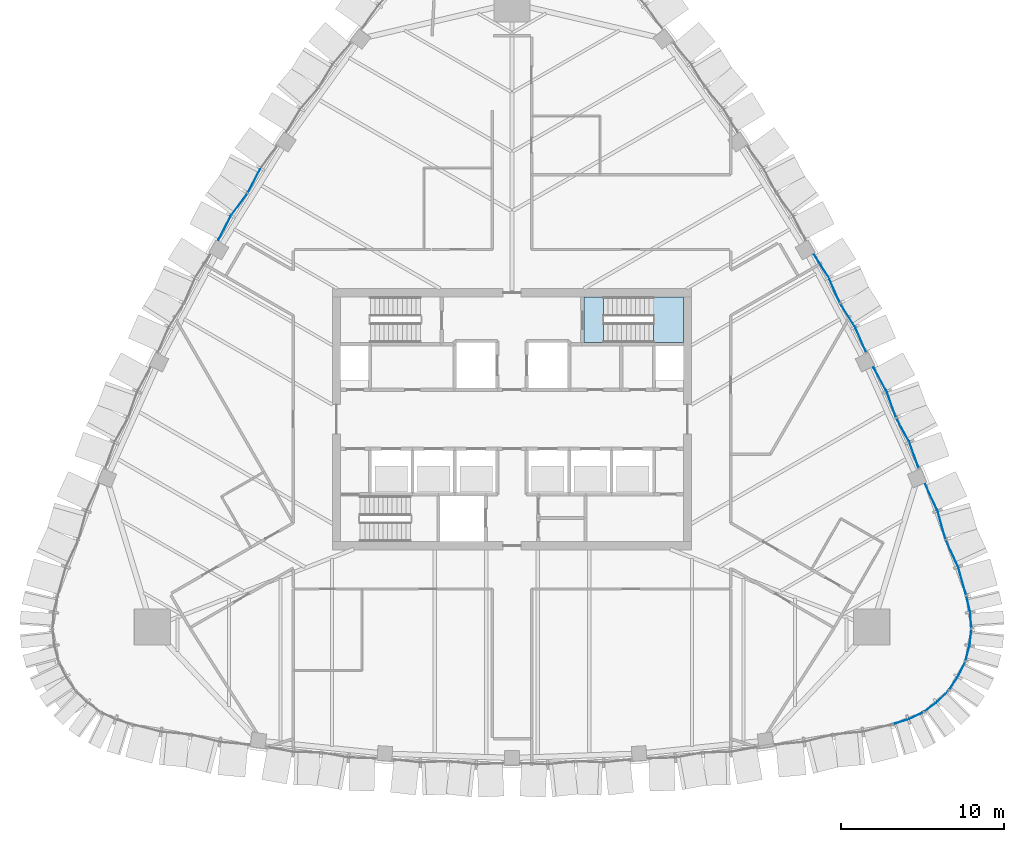
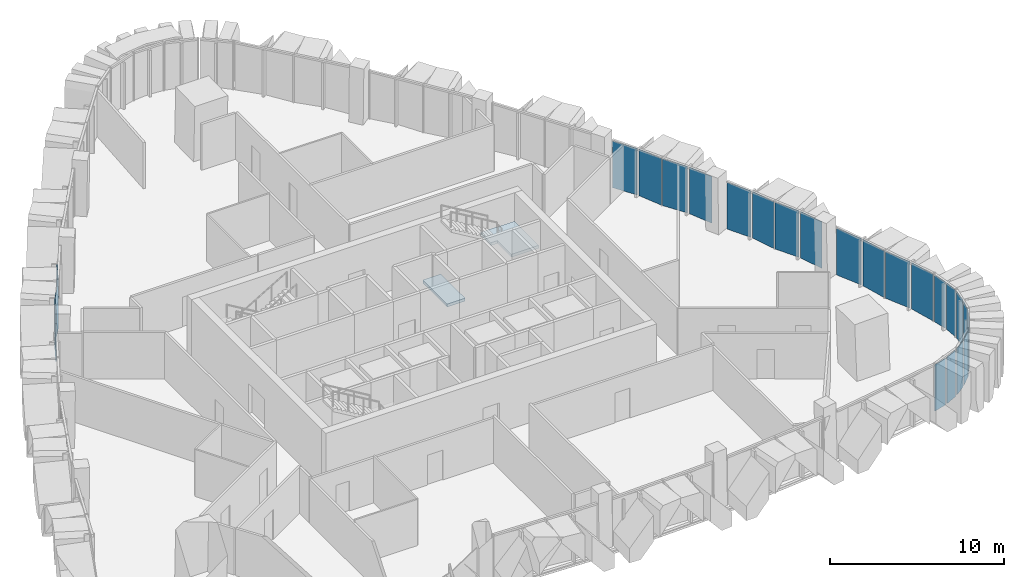
# One storey, part 10 of 20: 25 plates, 2 slabs, 10 elements without a shape of their own.
"""IFC4 building model written with IfcOpenShell, lengths in metres."""

from ifc_helpers import new_model, si_unit, direction, frame, origin, place, context, subcontext, project, spatial, polyline, outline, extrude, material, layer, layer_set, type_object, element, aggregate, save


model = new_model("IFC4")

# Units and contexts
model_context = context("Model", 3, precision=1e-05, world=origin(), true_north=direction((0.0, 1.0)))
body_context = subcontext(model_context, "Body", "Model", "MODEL_VIEW")
ifc_project = project(units=[si_unit("LENGTHUNIT", "METRE"), si_unit("AREAUNIT", "SQUARE_METRE"), si_unit("VOLUMEUNIT", "CUBIC_METRE"), si_unit("PLANEANGLEUNIT", "RADIAN"), si_unit("MASSUNIT", "GRAM", prefix="KILO")], contexts=[model_context])

# Site, building, storey
site_placement = place(None, origin())
site = spatial("IfcSite", under=ifc_project, at=site_placement, CompositionType="ELEMENT")
building_placement = place(site_placement, origin())
building = spatial("IfcBuilding", under=site, at=building_placement, Name="Sierra Prisma Convention Tower", CompositionType="ELEMENT")
storey_placement = place(building_placement, frame((0.0, 0.0, 239.0)))
storey = spatial("IfcBuildingStorey", under=building, at=storey_placement, Name="L53", CompositionType="ELEMENT", Elevation=239.0)

# Curtain wall, plates
ifc_material_1 = material(Name="Aluminium and glass curtain wall", Category="aluminium")
ifc_layer_1 = layer(ifc_material_1, 0.179931640625)
ifc_layer_set_1 = layer_set([ifc_layer_1], Name="CW-2 Faceted crystal curtain wall")
curtain_wall_type = type_object("IfcCurtainWallType", Name="CW-2 Faceted crystal curtain wall", PredefinedType="NOTDEFINED", material=ifc_layer_set_1)
curtain_wall_1_placement = place(storey_placement, origin())
curtain_wall_1 = element("IfcCurtainWall", 1, at=curtain_wall_1_placement, inside=storey, type_object=curtain_wall_type, Name="CW-2 SE1 L53", PredefinedType="NOTDEFINED")
ifc_material_2 = material(Name="Tinted glass bronze-grey IGU", Category="glass")
ifc_layer_2 = layer(ifc_material_2, 0.028076171875)
ifc_layer_set_2 = layer_set([ifc_layer_2], Name="CW-2 crystal pane")
plate_type = type_object("IfcPlateType", Name="CW-2 crystal pane", PredefinedType="CURTAIN_PANEL", material=ifc_layer_set_2)
plate_1_placement = place(storey_placement, frame((23.373046875, -18.681640625, 0.0), z_axis=(0.290342504729, -0.956922792051, 0.0), x_axis=(0.956922792051, 0.290342504729, 0.0)))
plate_1 = element("IfcPlate", 2, at=plate_1_placement, type_object=plate_type, Name="CW-2 pane SE1.1.1", PredefinedType="CURTAIN_PANEL", context=body_context, shape_type="SweptSolid", body=[
    extrude(outline(polyline([(0.0, 0.0), (0.8896416371794331, 0.0), (0.8896416371794331, 3.280029296875001), (0.0, 3.280029296875001), (0.0, 0.0)])), origin(), (0.0, 0.0, -1.0), 0.028076171875),
])
plate_2_placement = place(storey_placement, frame((25.1455078125, -17.98779296875, 0.0), z_axis=(0.436536034417, -0.899686773636, 0.0), x_axis=(-0.899686773636, -0.436536034417, 0.0)))
plate_2 = element("IfcPlate", 3, at=plate_2_placement, type_object=plate_type, Name="CW-2 pane SE1.1.2", PredefinedType="CURTAIN_PANEL", context=body_context, shape_type="SweptSolid", body=[
    extrude(outline(polyline([(0.0, 0.0), (0.8897953519310923, 0.0), (0.8897953519310923, -3.280029296875), (0.0, -3.280029296875), (0.0, 0.0)])), origin(), (0.0, 0.0, -1.0), 0.028076171875),
])
aggregate(curtain_wall_1, [plate_1, plate_2])

curtain_wall_2_placement = place(storey_placement, origin())
curtain_wall_2 = element("IfcCurtainWall", 4, at=curtain_wall_2_placement, inside=storey, type_object=curtain_wall_type, Name="CW-2 SE2 L53", PredefinedType="NOTDEFINED")
plate_3_placement = place(storey_placement, frame((25.263671875, -17.91650390625, 0.0), z_axis=(0.590518712357, -0.807023946581, 0.0), x_axis=(0.807023946581, 0.590518712357, 0.0)))
plate_3 = element("IfcPlate", 5, at=plate_3_placement, type_object=plate_type, Name="CW-2 pane SE2.1.1", PredefinedType="CURTAIN_PANEL", context=body_context, shape_type="SweptSolid", body=[
    extrude(outline(polyline([(0.0, 0.0), (0.8897103749728792, 0.0), (0.8897103749728792, 3.280029296875), (0.0, 3.280029296875), (0.0, 0.0)])), origin(), (0.0, 0.0, -1.0), 0.028076171875),
])
plate_4_placement = place(storey_placement, frame((26.70703125, -16.675537109375, 0.0), z_axis=(0.709435700534, -0.704770165946, 0.0), x_axis=(-0.704770165946, -0.709435700534, 0.0)))
plate_4 = element("IfcPlate", 6, at=plate_4_placement, type_object=plate_type, Name="CW-2 pane SE2.1.2", PredefinedType="CURTAIN_PANEL", context=body_context, shape_type="SweptSolid", body=[
    extrude(outline(polyline([(0.0, 0.0), (0.88958522266363, 0.0), (0.88958522266363, -3.280029296875), (0.0, -3.280029296875), (0.0, 0.0)])), origin(), (0.0, 0.0, -1.0), 0.028076171875),
])
aggregate(curtain_wall_2, [plate_3, plate_4])

curtain_wall_3_placement = place(storey_placement, origin())
curtain_wall_3 = element("IfcCurtainWall", 7, at=curtain_wall_3_placement, inside=storey, type_object=curtain_wall_type, Name="CW-2 SE3 L53", PredefinedType="NOTDEFINED")
plate_5_placement = place(storey_placement, frame((26.795166015625, -16.569091796875, 0.0), z_axis=(0.824113982765, -0.566423996146, 0.0), x_axis=(0.566423996146, 0.824113982765, 0.0)))
plate_5 = element("IfcPlate", 8, at=plate_5_placement, type_object=plate_type, Name="CW-2 pane SE3.1.1", PredefinedType="CURTAIN_PANEL", context=body_context, shape_type="SweptSolid", body=[
    extrude(outline(polyline([(0.0, 0.0), (0.8896272993874109, 0.0), (0.8896272993874109, 3.280029296875), (0.0, 3.280029296875), (0.0, 0.0)])), origin(), (0.0, 0.0, -1.0), 0.028076171875),
])
plate_6_placement = place(storey_placement, frame((27.746826171875, -14.920654296875, 0.0), z_axis=(0.902667653231, -0.430338364325, 0.0), x_axis=(-0.430338364325, -0.902667653231, 0.0)))
plate_6 = element("IfcPlate", 9, at=plate_6_placement, type_object=plate_type, Name="CW-2 pane SE3.1.2", PredefinedType="CURTAIN_PANEL", context=body_context, shape_type="SweptSolid", body=[
    extrude(outline(polyline([(0.0, 0.0), (0.8895616373875272, 0.0), (0.8895616373875272, -3.280029296875), (0.0, -3.280029296875), (0.0, 0.0)])), origin(), (0.0, 0.0, -1.0), 0.028076171875),
])
aggregate(curtain_wall_3, [plate_5, plate_6])

curtain_wall_4_placement = place(storey_placement, origin())
curtain_wall_4 = element("IfcCurtainWall", 10, at=curtain_wall_4_placement, inside=storey, type_object=curtain_wall_type, Name="CW-2 SE4 L53", PredefinedType="NOTDEFINED")
plate_7_placement = place(storey_placement, frame((27.794921875, -14.791259765625, 0.0), z_axis=(0.965054513103, -0.262049206714, 0.0), x_axis=(0.262049206714, 0.965054513103, 0.0)))
plate_7 = element("IfcPlate", 11, at=plate_7_placement, type_object=plate_type, Name="CW-2 pane SE4.1.1", PredefinedType="CURTAIN_PANEL", context=body_context, shape_type="SweptSolid", body=[
    extrude(outline(polyline([(0.0, 0.0), (0.889734793700023, 0.0), (0.889734793700023, 3.2800292968749996), (0.0, 3.2800292968749996), (0.0, 0.0)])), origin(), (0.0, 0.0, -1.0), 0.028076171875),
])
plate_8_placement = place(storey_placement, frame((28.14794921875, -12.9208984375, 0.0), z_axis=(0.994168149957, -0.107841038624, 0.0), x_axis=(-0.107841038624, -0.994168149957, 0.0)))
plate_8 = element("IfcPlate", 12, at=plate_8_placement, type_object=plate_type, Name="CW-2 pane SE4.1.2", PredefinedType="CURTAIN_PANEL", context=body_context, shape_type="SweptSolid", body=[
    extrude(outline(polyline([(0.0, 0.0), (0.889710140496256, 0.0), (0.889710140496256, -3.280029296875), (0.0, -3.280029296875), (0.0, 0.0)])), origin(), (0.0, 0.0, -1.0), 0.028076171875),
])
aggregate(curtain_wall_4, [plate_7, plate_8])

curtain_wall_5_placement = place(storey_placement, origin())
curtain_wall_5 = element("IfcCurtainWall", 13, at=curtain_wall_5_placement, inside=storey, type_object=curtain_wall_type, Name="CW-2 SE5 L53", PredefinedType="NOTDEFINED")
plate_9_placement = place(storey_placement, frame((28.150634765625, -12.78271484375, 0.0), z_axis=(0.997412528227, 0.071890531608, 0.0), x_axis=(-0.071890531608, 0.997412528227, 0.0)))
plate_9 = element("IfcPlate", 14, at=plate_9_placement, type_object=plate_type, Name="CW-2 pane SE5.1.1", PredefinedType="CURTAIN_PANEL", context=body_context, shape_type="SweptSolid", body=[
    extrude(outline(polyline([(0.0, 0.0), (0.8897533836396874, 0.0), (0.8897533836396874, 3.280029296875), (0.0, 3.280029296875), (0.0, 0.0)])), origin(), (0.0, 0.0, -1.0), 0.028076171875),
])
plate_10_placement = place(storey_placement, frame((27.865478515625, -10.900634765625, 0.0), z_axis=(0.973922092517, 0.226882695919, 0.0), x_axis=(0.226882695919, -0.973922092517, 0.0)))
plate_10 = element("IfcPlate", 15, at=plate_10_placement, type_object=plate_type, Name="CW-2 pane SE5.1.2", PredefinedType="CURTAIN_PANEL", context=body_context, shape_type="SweptSolid", body=[
    extrude(outline(polyline([(0.0, 0.0), (0.8899061079004057, 0.0), (0.8899061079004057, -3.280029296875), (0.0, -3.280029296875), (0.0, 0.0)])), origin(), (0.0, 0.0, -1.0), 0.028076171875),
])
aggregate(curtain_wall_5, [plate_9, plate_10])

curtain_wall_6_placement = place(storey_placement, origin())
curtain_wall_6 = element("IfcCurtainWall", 16, at=curtain_wall_6_placement, inside=storey, type_object=curtain_wall_type, Name="CW-2 NE1 L53", PredefinedType="NOTDEFINED")
plate_11_placement = place(storey_placement, frame((27.830810546875, -10.765869140625, 0.0), z_axis=(0.962560139026, 0.271068217906, 0.0), x_axis=(-0.271068217906, 0.962560139026, 0.0)))
plate_11 = element("IfcPlate", 17, at=plate_11_placement, type_object=plate_type, Name="CW-2 pane NE1.1.1", PredefinedType="CURTAIN_PANEL", context=body_context, shape_type="SweptSolid", body=[
    extrude(outline(polyline([(0.0, 0.0), (1.7310708163247204, 0.0), (1.7310708163247204, 3.280029296875001), (0.0, 3.280029296875001), (0.0, 0.0)])), origin(), (0.0, 0.0, -1.0), 0.028076171875),
])
plate_12_placement = place(storey_placement, frame((26.592529296875, -7.405517578125, 0.0), z_axis=(0.908322260911, 0.418271048884, 0.0), x_axis=(0.418271048884, -0.908322260911, 0.0)))
plate_12 = element("IfcPlate", 18, at=plate_12_placement, type_object=plate_type, Name="CW-2 pane NE1.1.2", PredefinedType="CURTAIN_PANEL", context=body_context, shape_type="SweptSolid", body=[
    extrude(outline(polyline([(0.0, 0.0), (1.7312245150181098, 0.0), (1.7312245150181098, -3.280029296875), (0.0, -3.280029296875), (0.0, 0.0)])), origin(), (0.0, 0.0, -1.0), 0.028076171875),
])
plate_13_placement = place(storey_placement, frame((26.568359375, -7.33984375, 0.0), z_axis=(0.962596930195, 0.270937538887, 0.0), x_axis=(-0.270937538887, 0.962596930195, 0.0)))
plate_13 = element("IfcPlate", 19, at=plate_13_placement, type_object=plate_type, Name="CW-2 pane NE1.2.1", PredefinedType="CURTAIN_PANEL", context=body_context, shape_type="SweptSolid", body=[
    extrude(outline(polyline([(0.0, 0.0), (1.731004653512307, 0.0), (1.731004653512307, 3.280029296875), (0.0, 3.280029296875), (0.0, 0.0)])), origin(), (0.0, 0.0, -1.0), 0.028076171875),
])
plate_14_placement = place(storey_placement, frame((25.330322265625, -3.9794921875, 0.0), z_axis=(0.908322260911, 0.418271048884, 0.0), x_axis=(0.418271048884, -0.908322260911, 0.0)))
plate_14 = element("IfcPlate", 20, at=plate_14_placement, type_object=plate_type, Name="CW-2 pane NE1.2.2", PredefinedType="CURTAIN_PANEL", context=body_context, shape_type="SweptSolid", body=[
    extrude(outline(polyline([(0.0, 0.0), (1.7312245150181098, 0.0), (1.7312245150181098, -3.280029296875), (0.0, -3.280029296875), (0.0, 0.0)])), origin(), (0.0, 0.0, -1.0), 0.028076171875),
])
aggregate(curtain_wall_6, [plate_11, plate_12, plate_13, plate_14])

curtain_wall_7_placement = place(storey_placement, origin())
curtain_wall_7 = element("IfcCurtainWall", 21, at=curtain_wall_7_placement, inside=storey, type_object=curtain_wall_type, Name="CW-2 NE2 L53", PredefinedType="NOTDEFINED")
plate_15_placement = place(storey_placement, frame((24.920166015625, -2.97705078125, 0.0), z_axis=(0.941820919268, 0.336115093427, 0.0), x_axis=(-0.336115093427, 0.941820919268, 0.0)))
plate_15 = element("IfcPlate", 22, at=plate_15_placement, type_object=plate_type, Name="CW-2 pane NE2.1.1", PredefinedType="CURTAIN_PANEL", context=body_context, shape_type="SweptSolid", body=[
    extrude(outline(polyline([(0.0, 0.0), (1.6074351128256732, 0.0), (1.6074351128256732, 3.280029296875), (0.0, 3.280029296875), (0.0, 0.0)])), origin(), (0.0, 0.0, -1.0), 0.028076171875),
])
plate_16_placement = place(storey_placement, frame((23.556640625, 0.065673828125, 0.0), z_axis=(0.877680695454, 0.479245862609, 0.0), x_axis=(0.479245862609, -0.877680695454, 0.0)))
plate_16 = element("IfcPlate", 23, at=plate_16_placement, type_object=plate_type, Name="CW-2 pane NE2.1.2", PredefinedType="CURTAIN_PANEL", context=body_context, shape_type="SweptSolid", body=[
    extrude(outline(polyline([(0.0, 0.0), (1.607241151089621, 0.0), (1.607241151089621, -3.280029296875), (0.0, -3.280029296875), (0.0, 0.0)])), origin(), (0.0, 0.0, -1.0), 0.028076171875),
])
plate_17_placement = place(storey_placement, frame((23.528076171875, 0.129638671875, 0.0), z_axis=(0.941868991918, 0.335980359639, 0.0), x_axis=(-0.335980359639, 0.941868991918, 0.0)))
plate_17 = element("IfcPlate", 24, at=plate_17_placement, type_object=plate_type, Name="CW-2 pane NE2.2.1", PredefinedType="CURTAIN_PANEL", context=body_context, shape_type="SweptSolid", body=[
    extrude(outline(polyline([(0.0, 0.0), (1.607353069923268, 0.0), (1.607353069923268, 3.280029296875), (0.0, 3.280029296875), (0.0, 0.0)])), origin(), (0.0, 0.0, -1.0), 0.028076171875),
])
plate_18_placement = place(storey_placement, frame((22.164794921875, 3.17236328125, 0.0), z_axis=(0.877680695454, 0.479245862609, 0.0), x_axis=(0.479245862609, -0.877680695454, 0.0)))
plate_18 = element("IfcPlate", 25, at=plate_18_placement, type_object=plate_type, Name="CW-2 pane NE2.2.2", PredefinedType="CURTAIN_PANEL", context=body_context, shape_type="SweptSolid", body=[
    extrude(outline(polyline([(0.0, 0.0), (1.607241151089621, 0.0), (1.607241151089621, -3.280029296875), (0.0, -3.280029296875), (0.0, 0.0)])), origin(), (0.0, 0.0, -1.0), 0.028076171875),
])
aggregate(curtain_wall_7, [plate_15, plate_16, plate_17, plate_18])

curtain_wall_8_placement = place(storey_placement, origin())
curtain_wall_8 = element("IfcCurtainWall", 26, at=curtain_wall_8_placement, inside=storey, type_object=curtain_wall_type, Name="CW-2 NE3 L53", PredefinedType="NOTDEFINED")
plate_19_placement = place(storey_placement, frame((21.701904296875, 4.11669921875, 0.0), z_axis=(0.916735710593, 0.399494226397, 0.0), x_axis=(-0.399494226397, 0.916735710593, 0.0)))
plate_19 = element("IfcPlate", 27, at=plate_19_placement, type_object=plate_type, Name="CW-2 pane NE3.1.1", PredefinedType="CURTAIN_PANEL", context=body_context, shape_type="SweptSolid", body=[
    extrude(outline(polyline([(0.0, 0.0), (1.6152014953883156, 0.0), (1.6152014953883156, 3.280029296875), (0.0, 3.280029296875), (0.0, 0.0)])), origin(), (0.0, 0.0, -1.0), 0.028076171875),
])
plate_20_placement = place(storey_placement, frame((20.126953125, 7.0732421875, 0.0), z_axis=(0.842976170925, 0.537950904128, 0.0), x_axis=(0.537950904128, -0.842976170925, 0.0)))
plate_20 = element("IfcPlate", 28, at=plate_20_placement, type_object=plate_type, Name="CW-2 pane NE3.1.2", PredefinedType="CURTAIN_PANEL", context=body_context, shape_type="SweptSolid", body=[
    extrude(outline(polyline([(0.0, 0.0), (1.6151966242778093, 0.0), (1.6151966242778093, -3.280029296875), (0.0, -3.280029296875), (0.0, 0.0)])), origin(), (0.0, 0.0, -1.0), 0.028076171875),
])
plate_21_placement = place(storey_placement, frame((20.093994140625, 7.135009765625, 0.0), z_axis=(0.916735710593, 0.399494226397, 0.0), x_axis=(-0.399494226397, 0.916735710593, 0.0)))
plate_21 = element("IfcPlate", 29, at=plate_21_placement, type_object=plate_type, Name="CW-2 pane NE3.2.1", PredefinedType="CURTAIN_PANEL", context=body_context, shape_type="SweptSolid", body=[
    extrude(outline(polyline([(0.0, 0.0), (1.6152014953883156, 0.0), (1.6152014953883156, 3.280029296875), (0.0, 3.280029296875), (0.0, 0.0)])), origin(), (0.0, 0.0, -1.0), 0.028076171875),
])
plate_22_placement = place(storey_placement, frame((18.518798828125, 10.091796875, 0.0), z_axis=(0.842976170925, 0.537950904128, 0.0), x_axis=(0.537950904128, -0.842976170925, 0.0)))
plate_22 = element("IfcPlate", 30, at=plate_22_placement, type_object=plate_type, Name="CW-2 pane NE3.2.2", PredefinedType="CURTAIN_PANEL", context=body_context, shape_type="SweptSolid", body=[
    extrude(outline(polyline([(0.0, 0.0), (1.6151966242778093, 0.0), (1.6151966242778093, -3.280029296875), (0.0, -3.280029296875), (0.0, 0.0)])), origin(), (0.0, 0.0, -1.0), 0.028076171875),
])
aggregate(curtain_wall_8, [plate_19, plate_20, plate_21, plate_22])

curtain_wall_9_placement = place(storey_placement, origin())
curtain_wall_9 = element("IfcCurtainWall", 31, at=curtain_wall_9_placement, inside=storey, type_object=curtain_wall_type, Name="CW-2 NW3 L53", PredefinedType="NOTDEFINED")
plate_23_placement = place(storey_placement, frame((-16.189208984375, 13.8935546875, 0.0), z_axis=(-0.887335550891, 0.46112430008, 0.0), x_axis=(0.46112430008, 0.887335550891, 0.0)))
plate_23 = element("IfcPlate", 32, at=plate_23_placement, type_object=plate_type, Name="CW-2 pane NW3.1.2", PredefinedType="CURTAIN_PANEL", context=body_context, shape_type="SweptSolid", body=[
    extrude(outline(polyline([(0.0, 0.0), (1.6153411276434184, 0.0), (1.6153411276434184, -3.280029296875), (0.0, -3.280029296875), (0.0, 0.0)])), origin(), (0.0, 0.0, -1.0), 0.028076171875),
])
plate_24_placement = place(storey_placement, frame((-16.22607421875, 13.834228515625, 0.0), z_axis=(-0.804314342892, 0.594204037194, 0.0), x_axis=(-0.594204037194, -0.804314342892, 0.0)))
plate_24 = element("IfcPlate", 33, at=plate_24_placement, type_object=plate_type, Name="CW-2 pane NW3.2.1", PredefinedType="CURTAIN_PANEL", context=body_context, shape_type="SweptSolid", body=[
    extrude(outline(polyline([(0.0, 0.0), (1.615130050961866, 0.0), (1.615130050961866, 3.280029296875), (0.0, 3.280029296875), (0.0, 0.0)])), origin(), (0.0, 0.0, -1.0), 0.028076171875),
])
plate_25_placement = place(storey_placement, frame((-17.999267578125, 10.991943359375, 0.0), z_axis=(-0.887335550891, 0.46112430008, 0.0), x_axis=(0.46112430008, 0.887335550891, 0.0)))
plate_25 = element("IfcPlate", 34, at=plate_25_placement, type_object=plate_type, Name="CW-2 pane NW3.2.2", PredefinedType="CURTAIN_PANEL", context=body_context, shape_type="SweptSolid", body=[
    extrude(outline(polyline([(0.0, 0.0), (1.6153411276434184, 0.0), (1.6153411276434184, -3.280029296875), (0.0, -3.280029296875), (0.0, 0.0)])), origin(), (0.0, 0.0, -1.0), 0.028076171875),
])
aggregate(curtain_wall_9, [plate_23, plate_24, plate_25])

# Stair, slab
ifc_material_3 = material(Name="Concrete C30/37", Category="concrete")
stair_type = type_object("IfcStairType", Name="Stair dog-leg 1200 RC", PredefinedType="HALF_TURN_STAIR", material=ifc_material_3)
stair_placement = place(storey_placement, origin())
stair = element("IfcStair", 35, at=stair_placement, inside=storey, type_object=stair_type, Name="L53 S4", PredefinedType="HALF_TURN_STAIR")
ifc_material_4 = material(Name="Concrete C35/45", Category="concrete")
ifc_layer_3 = layer(ifc_material_4, 0.199951171875)
ifc_layer_set_3 = layer_set([ifc_layer_3], Name="Stair landing slab")
slab_type = type_object("IfcSlabType", Name="Stair landing slab", PredefinedType="LANDING", material=ifc_layer_set_3)
slab_1_placement = place(storey_placement, frame((0.0, 0.0, 1.800048828125)))
slab_1 = element("IfcSlab", 36, at=slab_1_placement, type_object=slab_type, Name="S4 landing 1", PredefinedType="LANDING", context=body_context, shape_type="SweptSolid", body=[
    extrude(outline(polyline([(10.5, 7.5), (10.5, 4.699951171875), (8.677978515625, 4.699951171875), (8.677978515625, 6.300048828125), (8.22998046875, 6.300048828125), (8.22998046875, 7.5), (10.5, 7.5)])), origin(), (0.0, 0.0, 1.0), 0.199951171875),
])
aggregate(stair, [slab_1])

# Slab
slab_2_placement = place(storey_placement, frame((0.0, 0.0, -0.199951171875)))
element("IfcSlab", 37, at=slab_2_placement, inside=storey, type_object=slab_type, Name="S4 floor landing L53", PredefinedType="LANDING", context=body_context, shape_type="SweptSolid", body=[
    extrude(outline(polyline([(4.39990234375, 4.699951171875), (5.60205078125, 4.699951171875), (5.60205078125, 7.5), (4.39990234375, 7.5), (4.39990234375, 4.699951171875)])), origin(), (0.0, 0.0, 1.0), 0.199951171875),
])

save(model, "model.ifc")
